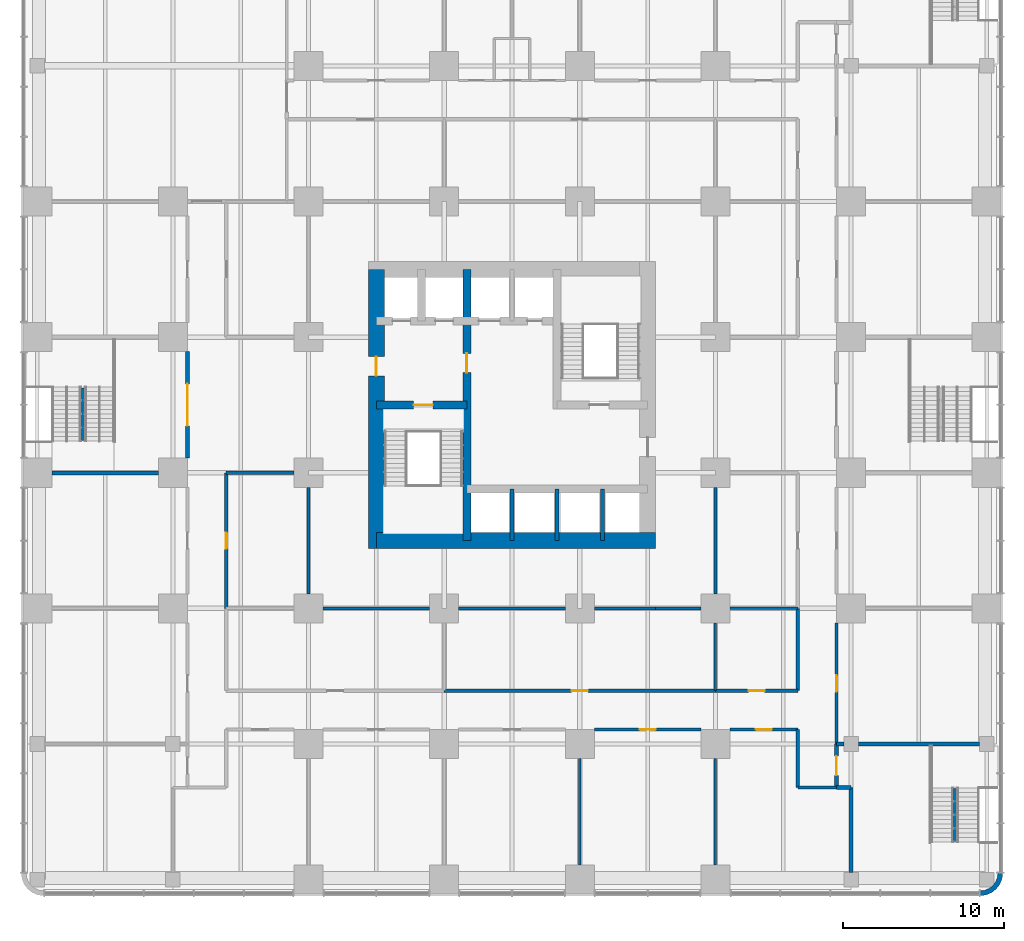
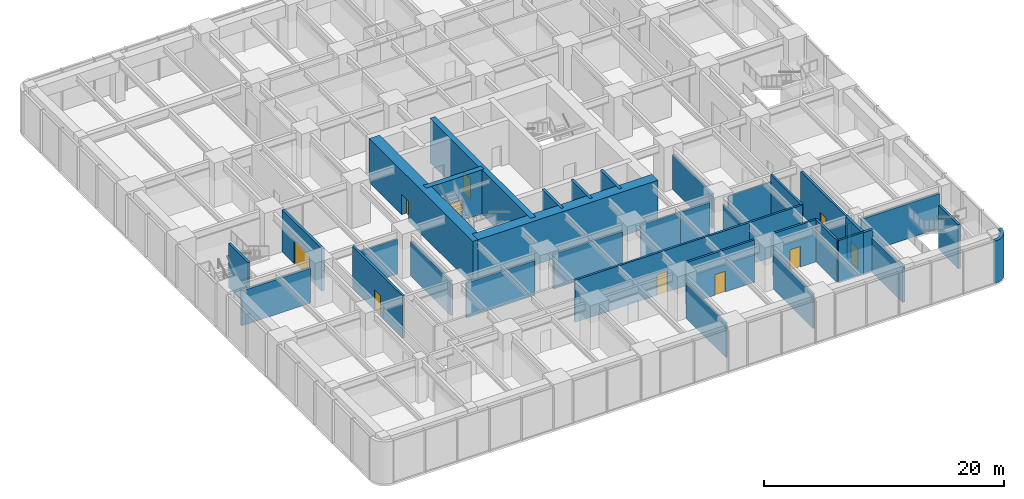
# One storey, part 10 of 17: 37 walls, 11 doors, 11 openings.
"""IFC4 building model written with IfcOpenShell, lengths in metres."""

from ifc_helpers import new_model, si_unit, direction, frame, frame_2d, origin, place, context, subcontext, project, spatial, polyline, rectangle, outline, extrude, material, layer, layer_set, type_object, element, fill, save


model = new_model("IFC4")

# Units and contexts
model_context = context("Model", 3, precision=1e-05, world=origin(), true_north=direction((0.0, 1.0)))
body_context = subcontext(model_context, "Body", "Model", "MODEL_VIEW")
ifc_project = project(units=[si_unit("LENGTHUNIT", "METRE"), si_unit("AREAUNIT", "SQUARE_METRE"), si_unit("VOLUMEUNIT", "CUBIC_METRE"), si_unit("PLANEANGLEUNIT", "RADIAN"), si_unit("MASSUNIT", "GRAM", prefix="KILO")], contexts=[model_context])

# Site, building, storey
site_placement = place(None, origin())
site = spatial("IfcSite", under=ifc_project, at=site_placement, CompositionType="ELEMENT")
building_placement = place(site_placement, origin())
building = spatial("IfcBuilding", under=site, at=building_placement, Name="Torre Alcanfor", CompositionType="ELEMENT")
storey_placement = place(building_placement, frame((0.0, 0.0, 19.5)))
storey = spatial("IfcBuildingStorey", under=building, at=storey_placement, Name="L04", CompositionType="ELEMENT", Elevation=19.5)

# Walls
ifc_material_1 = material(Name="Concrete block masonry, hollow blocks NMX-C-404 9 MPa", Category="masonry")
ifc_layer_1 = layer(ifc_material_1, 0.14990234375)
ifc_layer_set_1 = layer_set([ifc_layer_1], Name="Classroom partition 150")
wall_type_1 = type_object("IfcWallType", Name="Classroom partition 150", PredefinedType="PARTITIONING", material=ifc_layer_set_1)
for number, where, z_axis, x_axis, name in (
    (1, (42.0, 0.89990234375, 0.0), (0.0, 0.0, 1.0), (0.0, 1.0, 0.0), "Partition L04-02 / L04-07"),
    (2, (33.60009765625, 7.5, 0.0), (0.0, 0.0, 1.0), (0.0, -1.0, 0.0), "Partition L04-06 / L04-07"),
):
    element("IfcWall", number, at=place(storey_placement, frame(where, z_axis=z_axis, x_axis=x_axis)), inside=storey, type_object=wall_type_1, Name=name, PredefinedType="PARTITIONING", context=body_context, shape_type="SweptSolid", body=[
        extrude(rectangle(XDim=6.60009765625, YDim=0.14990234375, at=frame_2d((3.300048828125, 0.0))), origin(), (0.0, 0.0, 1.0), 3.543212890625),
    ])
wall_1_placement = place(storey_placement, frame((42.0, 15.89990234375, 0.0), z_axis=(0.0, 0.0, 1.0), x_axis=(0.0, -1.0, 0.0)))
element("IfcWall", 3, at=wall_1_placement, inside=storey, type_object=wall_type_1, Name="Partition L04-I01 / L04-I03", PredefinedType="PARTITIONING", context=body_context, shape_type="SweptSolid", body=[
    extrude(rectangle(XDim=4.199951171875, YDim=0.14990234375, at=frame_2d((2.10009765625, 0.0))), origin(), (0.0, 0.0, 1.0), 3.543212890625),
])
wall_2_placement = place(storey_placement, frame((42.89990234375, 16.800048828125, 0.0), z_axis=(0.0, 0.0, 1.0), x_axis=(1.0, 0.0, 0.0)))
element("IfcWall", 4, at=wall_2_placement, inside=storey, type_object=wall_type_1, Name="Partition L04-I03 / L04-I05", PredefinedType="PARTITIONING", context=body_context, shape_type="SweptSolid", body=[
    extrude(rectangle(XDim=4.2001953125, YDim=0.14990234375, at=frame_2d((2.10009765625, 0.0))), origin(), (0.0, 0.0, 1.0), 3.543212890625),
])

# Wall, opening, door
ifc_material_2 = material(Name="Concrete f'c 70 MPa", Category="concrete")
ifc_layer_2 = layer(ifc_material_2, 0.5)
ifc_layer_set_2 = layer_set([ifc_layer_2], Name="Core inner wall 500 f'c70")
wall_type_2 = type_object("IfcWallType", Name="Core inner wall 500 f'c70", PredefinedType="SHEAR", material=ifc_layer_set_2)
wall_3_placement = place(storey_placement, frame((26.60009765625, 21.0, 0.0), z_axis=(0.0, 0.0, 1.0), x_axis=(0.0, 1.0, 0.0)))
wall_3 = element("IfcWall", 5, at=wall_3_placement, inside=storey, type_object=wall_type_2, Name="Core wall X266 L04", PredefinedType="SHEAR", context=body_context, shape_type="SweptSolid", body=[
    extrude(rectangle(XDim=16.800048828125, YDim=0.5, at=frame_2d((8.39990234375, 0.0))), origin(), (0.0, 0.0, 1.0), 4.5),
])
opening_1_placement = place(wall_3_placement, frame((10.39990234375, 0.0, 0.0)))
opening_1 = element("IfcOpeningElement", 6, at=opening_1_placement, cuts=wall_3, Name="Opening D-L1", PredefinedType="OPENING", context=body_context, shape_type="SweptSolid", body=[
    extrude(rectangle(XDim=1.199951171875, YDim=2.10009765625, at=frame_2d((0.60009765625, 1.050048828125))), frame((0.0, 0.260009765625, 0.0), z_axis=(0.0, -1.0, 0.0), x_axis=(1.0, 0.0, 0.0)), (0.0, 0.0, 1.0), 0.52001953125),
])
ifc_material_3 = material(Name="Galvanised steel sheet ASTM A653", Category="steel")
door_type_1 = type_object("IfcDoorType", Name="Lobby door FD120 1200x2100", OperationType="SINGLE_SWING_LEFT", PredefinedType="DOOR", material=ifc_material_3)
door_1_placement = place(opening_1_placement, origin())
door_1 = element("IfcDoor", 7, at=door_1_placement, inside=storey, type_object=door_type_1, Name="Lift lobby door L04", OperationType="SINGLE_SWING_LEFT", OverallHeight=2.10009765625, OverallWidth=1.199951171875, PredefinedType="DOOR", context=body_context, shape_type="SweptSolid", body=[
    extrude(rectangle(XDim=1.199951171875, YDim=2.10009765625, at=frame_2d((0.60009765625, 1.050048828125))), frame((0.0, 0.02490234375, 0.0), z_axis=(0.0, -1.0, 0.0), x_axis=(1.0, 0.0, 0.0)), (0.0, 0.0, 1.0), 0.050048828125),
])
fill(opening_1, door_1)

wall_4_placement = place(storey_placement, frame((21.0, 29.39990234375, 0.0), z_axis=(0.0, 0.0, 1.0), x_axis=(1.0, 0.0, 0.0)))
wall_4 = element("IfcWall", 8, at=wall_4_placement, inside=storey, type_object=wall_type_2, Name="Core wall Y294W L04", PredefinedType="SHEAR", context=body_context, shape_type="SweptSolid", body=[
    extrude(rectangle(XDim=5.60009765625, YDim=0.5, at=frame_2d((2.800048828125, 0.0))), origin(), (0.0, 0.0, 1.0), 4.5),
])
opening_2_placement = place(wall_4_placement, frame((2.300048828125, 0.0, 0.0)))
opening_2 = element("IfcOpeningElement", 9, at=opening_2_placement, cuts=wall_4, Name="Opening D-S2", PredefinedType="OPENING", context=body_context, shape_type="SweptSolid", body=[
    extrude(rectangle(XDim=1.199951171875, YDim=2.10009765625, at=frame_2d((0.60009765625, 1.050048828125))), frame((0.0, 0.260009765625, 0.0), z_axis=(0.0, -1.0, 0.0), x_axis=(1.0, 0.0, 0.0)), (0.0, 0.0, 1.0), 0.52001953125),
])
ifc_material_4 = material(Name="Galvanised steel sheet ASTM A653", Category="steel")
door_type_2 = type_object("IfcDoorType", Name="Stair enclosure door FD120 1200x2100", OperationType="SINGLE_SWING_LEFT", PredefinedType="DOOR", material=ifc_material_4)
door_2_placement = place(opening_2_placement, frame((1.199951171875, 0.0, 0.0), z_axis=(0.0, 0.0, 1.0), x_axis=(-1.0, 0.0, 0.0)))
door_2 = element("IfcDoor", 10, at=door_2_placement, inside=storey, type_object=door_type_2, Name="Stair S1 door L04", OperationType="SINGLE_SWING_LEFT", OverallHeight=2.10009765625, OverallWidth=1.199951171875, PredefinedType="DOOR", context=body_context, shape_type="SweptSolid", body=[
    extrude(rectangle(XDim=1.199951171875, YDim=2.10009765625, at=frame_2d((0.599853515625, 1.050048828125))), frame((0.0, 0.025146484375, 0.0), z_axis=(0.0, -1.0, 0.0), x_axis=(1.0, 0.0, 0.0)), (0.0, 0.0, 1.0), 0.050048828125),
])
fill(opening_2, door_2)

# Walls
ifc_material_5 = material(Name="Concrete f'c 70 MPa", Category="concrete")
ifc_layer_3 = layer(ifc_material_5, 0.25)
ifc_layer_set_3 = layer_set([ifc_layer_3], Name="Core shaft wall 250 f'c70")
wall_type_3 = type_object("IfcWallType", Name="Core shaft wall 250 f'c70", PredefinedType="SHEAR", material=ifc_layer_set_3)
for number, where, z_axis, x_axis, name in (
    (11, (29.39990234375, 21.0, 0.0), (0.0, 0.0, 1.0), (0.0, 1.0, 0.0), "Core wall X294S L04"),
    (12, (32.199951171875, 21.0, 0.0), (0.0, 0.0, 1.0), (0.0, 1.0, 0.0), "Core wall X322S L04"),
    (13, (35.0, 21.0, 0.0), (0.0, 0.0, 1.0), (0.0, 1.0, 0.0), "Core wall X350S L04"),
):
    element("IfcWall", number, at=place(storey_placement, frame(where, z_axis=z_axis, x_axis=x_axis)), inside=storey, type_object=wall_type_3, Name=name, PredefinedType="SHEAR", context=body_context, shape_type="SweptSolid", body=[
        extrude(rectangle(XDim=3.199951171875, YDim=0.25, at=frame_2d((1.60009765625, 0.0))), origin(), (0.0, 0.0, 1.0), 4.5),
    ])
ifc_material_6 = material(Name="Concrete f'c 70 MPa", Category="concrete")
ifc_layer_4 = layer(ifc_material_6, 1.0)
ifc_layer_set_4 = layer_set([ifc_layer_4], Name="Core wall 1000 f'c70")
wall_type_4 = type_object("IfcWallType", Name="Core wall 1000 f'c70", PredefinedType="SHEAR", material=ifc_layer_set_4)
wall_5_placement = place(storey_placement, frame((21.0, 21.0, 0.0), z_axis=(0.0, 0.0, 1.0), x_axis=(1.0, 0.0, 0.0)))
element("IfcWall", 14, at=wall_5_placement, inside=storey, type_object=wall_type_4, Name="Core wall OUT-S L04", PredefinedType="SHEAR", context=body_context, shape_type="SweptSolid", body=[
    extrude(rectangle(XDim=17.300048828125, YDim=1.0, at=frame_2d((8.64990234375, 0.0))), origin(), (0.0, 0.0, 1.0), 4.5),
])

# Wall, opening, door
wall_6_placement = place(storey_placement, frame((21.0, 37.800048828125, 0.0), z_axis=(0.0, 0.0, 1.0), x_axis=(0.0, -1.0, 0.0)))
wall_6 = element("IfcWall", 15, at=wall_6_placement, inside=storey, type_object=wall_type_4, Name="Core wall OUT-W L04", PredefinedType="SHEAR", context=body_context, shape_type="SweptSolid", body=[
    extrude(rectangle(XDim=17.300048828125, YDim=1.0, at=frame_2d((8.64990234375, 0.0))), origin(), (0.0, 0.0, 1.0), 4.5),
])
opening_3_placement = place(wall_6_placement, frame((5.39990234375, 0.0, 0.0)))
opening_3 = element("IfcOpeningElement", 16, at=opening_3_placement, cuts=wall_6, Name="Opening D-L1", PredefinedType="OPENING", context=body_context, shape_type="SweptSolid", body=[
    extrude(rectangle(XDim=1.199951171875, YDim=2.10009765625, at=frame_2d((0.60009765625, 1.050048828125))), frame((0.0, 0.510009765625, 0.0), z_axis=(0.0, -1.0, 0.0), x_axis=(1.0, 0.0, 0.0)), (0.0, 0.0, 1.0), 1.02001953125),
])
door_3_placement = place(opening_3_placement, origin())
door_3 = element("IfcDoor", 17, at=door_3_placement, inside=storey, type_object=door_type_1, Name="Firefighting lobby door L04", OperationType="SINGLE_SWING_LEFT", OverallHeight=2.10009765625, OverallWidth=1.199951171875, PredefinedType="DOOR", context=body_context, shape_type="SweptSolid", body=[
    extrude(rectangle(XDim=1.199951171875, YDim=2.10009765625, at=frame_2d((0.60009765625, 1.050048828125))), frame((0.0, 0.02490234375, 0.0), z_axis=(0.0, -1.0, 0.0), x_axis=(1.0, 0.0, 0.0)), (0.0, 0.0, 1.0), 0.050048828125),
])
fill(opening_3, door_3)

# Wall
ifc_material_7 = material(Name="Limestone cladding", Category="masonry")
ifc_layer_5 = layer(ifc_material_7, 0.0400390625, Name="Facing")
ifc_material_8 = material(Name="Ventilated air cavity")
ifc_layer_6 = layer(ifc_material_8, 0.02001953125, ventilated=True, Name="Ventilated joint")
ifc_material_9 = material(Name="Mineral wool insulation", Category="insulation")
ifc_layer_7 = layer(ifc_material_9, 0.10009765625, Name="Insulation")
ifc_material_10 = material(Name="Concrete f'c 35 MPa", Category="concrete")
ifc_layer_8 = layer(ifc_material_10, 0.139892578125, Name="Backing")
ifc_layer_set_5 = layer_set([ifc_layer_5, ifc_layer_6, ifc_layer_7, ifc_layer_8], Name="Rounded corner pier stone-clad 300")
wall_type_5 = type_object("IfcWallType", Name="Rounded corner pier stone-clad 300", PredefinedType="SOLIDWALL", material=ifc_layer_set_5)
wall_7_placement = place(storey_placement, frame((58.355188981, -0.847901787, 0.0), z_axis=(0.0, 0.0, 1.0), x_axis=(0.707106781187, -0.707106781187, 0.0)))
element("IfcWall", 18, at=wall_7_placement, inside=storey, type_object=wall_type_5, Name="Corner pier L04 8", PredefinedType="SOLIDWALL", context=body_context, shape_type="SweptSolid", body=[
    extrude(outline(polyline([(0.13933943332033705, 1.904000958212158), (-0.10079375335702812, 1.7198010227809943), (-0.08681044054547771, 1.705817709969444), (0.09963373027519407, 1.4627497539365684), (0.20925599737808903, 1.1981026114661149), (0.24654483154222334, 0.9139478844560909), (0.20925599737808903, 0.6301384244290684), (0.09963373027519407, 0.365491281958615), (-0.08681044054547765, 0.12242332592573929), (-0.10079375335702803, 0.10844001311418891), (0.1391667998288365, -0.07593255580847535), (0.3616913703731382, 0.21391907642106894), (0.5016971319801427, 0.5517628192877861), (0.5491713421428137, 0.9141205179475915), (0.501524498488642, 1.2763055831158965), (0.36169137037313825, 1.613976692491113), (0.13933943332033705, 1.904000958212158)])), origin(), (0.0, 0.0, 1.0), 4.300048828125),
])

# Wall, opening, door
ifc_material_11 = material(Name="Concrete block masonry, hollow blocks NMX-C-404 9 MPa", Category="masonry")
ifc_layer_9 = layer(ifc_material_11, 0.199951171875)
ifc_layer_set_6 = layer_set([ifc_layer_9], Name="School corridor wall 200")
wall_type_6 = type_object("IfcWallType", Name="School corridor wall 200", PredefinedType="PARTITIONING", material=ifc_layer_set_6)
wall_8_placement = place(storey_placement, frame((42.89990234375, 9.300048828125, 0.0), z_axis=(0.0, 0.0, 1.0), x_axis=(1.0, 0.0, 0.0)))
wall_8 = element("IfcWall", 19, at=wall_8_placement, inside=storey, type_object=wall_type_6, Name="Partition L04-02 / L04-CORR", PredefinedType="PARTITIONING", context=body_context, shape_type="SweptSolid", body=[
    extrude(rectangle(XDim=4.2001953125, YDim=0.199951171875, at=frame_2d((2.10009765625, 0.0))), origin(), (0.0, 0.0, 1.0), 4.300048828125),
])
opening_4_placement = place(wall_8_placement, frame((1.60009765625, 0.0, 0.0)))
opening_4 = element("IfcOpeningElement", 20, at=opening_4_placement, cuts=wall_8, Name="Opening D-C1", PredefinedType="OPENING", context=body_context, shape_type="SweptSolid", body=[
    extrude(rectangle(XDim=1.0, YDim=2.10009765625, at=frame_2d((0.5, 1.050048828125))), frame((0.0, 0.10986328125, 0.0), z_axis=(0.0, -1.0, 0.0), x_axis=(1.0, 0.0, 0.0)), (0.0, 0.0, 1.0), 0.219970703125),
])
ifc_material_12 = material(Name="Timber", Category="wood")
door_type_3 = type_object("IfcDoorType", Name="Classroom door 1000x2100", OperationType="SINGLE_SWING_RIGHT", PredefinedType="DOOR", material=ifc_material_12)
door_4_placement = place(opening_4_placement, frame((1.0, 0.0, 0.0), z_axis=(0.0, 0.0, 1.0), x_axis=(-1.0, 0.0, 0.0)))
door_4 = element("IfcDoor", 21, at=door_4_placement, inside=storey, type_object=door_type_3, Name="Door L04-02 classroom", OperationType="SINGLE_SWING_RIGHT", OverallHeight=2.10009765625, OverallWidth=1.0, PredefinedType="DOOR", context=body_context, shape_type="SweptSolid", body=[
    extrude(rectangle(XDim=1.0, YDim=2.10009765625, at=frame_2d((0.5, 1.050048828125))), frame((0.0, 0.025146484375, 0.0), z_axis=(0.0, -1.0, 0.0), x_axis=(1.0, 0.0, 0.0)), (0.0, 0.0, 1.0), 0.050048828125),
])
fill(opening_4, door_4)

# Walls
wall_9_placement = place(storey_placement, frame((47.10009765625, 9.300048828125, 0.0), z_axis=(0.0, 0.0, 1.0), x_axis=(0.0, -1.0, 0.0)))
element("IfcWall", 22, at=wall_9_placement, inside=storey, type_object=wall_type_6, Name="Partition L04-02 / L04-CORR", PredefinedType="PARTITIONING", context=body_context, shape_type="SweptSolid", body=[
    extrude(rectangle(XDim=3.60009765625, YDim=0.199951171875, at=frame_2d((1.800048828125, 0.0))), origin(), (0.0, 0.0, 1.0), 4.300048828125),
])
wall_10_placement = place(storey_placement, frame((47.10009765625, 5.699951171875, 0.0), z_axis=(0.0, 0.0, 1.0), x_axis=(1.0, 0.0, 0.0)))
element("IfcWall", 23, at=wall_10_placement, inside=storey, type_object=wall_type_6, Name="Partition L04-02 / L04-CORR", PredefinedType="PARTITIONING", context=body_context, shape_type="SweptSolid", body=[
    extrude(rectangle(XDim=2.39990234375, YDim=0.199951171875, at=frame_2d((1.199951171875, 0.0))), origin(), (0.0, 0.0, 1.0), 4.300048828125),
])

# Wall, opening, door
wall_11_placement = place(storey_placement, frame((34.5, 9.300048828125, 0.0), z_axis=(0.0, 0.0, 1.0), x_axis=(1.0, 0.0, 0.0)))
wall_11 = element("IfcWall", 24, at=wall_11_placement, inside=storey, type_object=wall_type_6, Name="Partition L04-07 / L04-CORR", PredefinedType="PARTITIONING", context=body_context, shape_type="SweptSolid", body=[
    extrude(rectangle(XDim=6.60009765625, YDim=0.199951171875, at=frame_2d((3.300048828125, 0.0))), origin(), (0.0, 0.0, 1.0), 4.300048828125),
])
opening_5_placement = place(wall_11_placement, frame((2.800048828125, 0.0, 0.0)))
opening_5 = element("IfcOpeningElement", 25, at=opening_5_placement, cuts=wall_11, Name="Opening D-C1", PredefinedType="OPENING", context=body_context, shape_type="SweptSolid", body=[
    extrude(rectangle(XDim=1.0, YDim=2.10009765625, at=frame_2d((0.5, 1.050048828125))), frame((0.0, 0.10986328125, 0.0), z_axis=(0.0, -1.0, 0.0), x_axis=(1.0, 0.0, 0.0)), (0.0, 0.0, 1.0), 0.219970703125),
])
door_5_placement = place(opening_5_placement, frame((1.0, 0.0, 0.0), z_axis=(0.0, 0.0, 1.0), x_axis=(-1.0, 0.0, 0.0)))
door_5 = element("IfcDoor", 26, at=door_5_placement, inside=storey, type_object=door_type_3, Name="Door L04-07 classroom", OperationType="SINGLE_SWING_RIGHT", OverallHeight=2.10009765625, OverallWidth=1.0, PredefinedType="DOOR", context=body_context, shape_type="SweptSolid", body=[
    extrude(rectangle(XDim=1.0, YDim=2.10009765625, at=frame_2d((0.5, 1.050048828125))), frame((0.0, 0.025146484375, 0.0), z_axis=(0.0, -1.0, 0.0), x_axis=(1.0, 0.0, 0.0)), (0.0, 0.0, 1.0), 0.050048828125),
])
fill(opening_5, door_5)

wall_12_placement = place(storey_placement, frame((49.5, 8.39990234375, 0.0), z_axis=(0.0, 0.0, 1.0), x_axis=(0.0, 1.0, 0.0)))
wall_12 = element("IfcWall", 27, at=wall_12_placement, inside=storey, type_object=wall_type_6, Name="Partition L04-09 / L04-CORR", PredefinedType="PARTITIONING", context=body_context, shape_type="SweptSolid", body=[
    extrude(rectangle(XDim=7.5, YDim=0.199951171875, at=frame_2d((3.75, 0.0))), origin(), (0.0, 0.0, 1.0), 4.300048828125),
])
opening_6_placement = place(wall_12_placement, frame((3.25, 0.0, 0.0)))
opening_6 = element("IfcOpeningElement", 28, at=opening_6_placement, cuts=wall_12, Name="Opening D-C1", PredefinedType="OPENING", context=body_context, shape_type="SweptSolid", body=[
    extrude(rectangle(XDim=1.0, YDim=2.10009765625, at=frame_2d((0.5, 1.050048828125))), frame((0.0, 0.10986328125, 0.0), z_axis=(0.0, -1.0, 0.0), x_axis=(1.0, 0.0, 0.0)), (0.0, 0.0, 1.0), 0.219970703125),
])
door_6_placement = place(opening_6_placement, frame((1.0, 0.0, 0.0), z_axis=(0.0, 0.0, 1.0), x_axis=(-1.0, 0.0, 0.0)))
door_6 = element("IfcDoor", 29, at=door_6_placement, inside=storey, type_object=door_type_3, Name="Door L04-09 classroom", OperationType="SINGLE_SWING_RIGHT", OverallHeight=2.10009765625, OverallWidth=1.0, PredefinedType="DOOR", context=body_context, shape_type="SweptSolid", body=[
    extrude(rectangle(XDim=1.0, YDim=2.10009765625, at=frame_2d((0.5, 1.050048828125))), frame((0.0, 0.025146484375, 0.0), z_axis=(0.0, -1.0, 0.0), x_axis=(1.0, 0.0, 0.0)), (0.0, 0.0, 1.0), 0.050048828125),
])
fill(opening_6, door_6)

wall_13_placement = place(storey_placement, frame((25.199951171875, 11.699951171875, 0.0), z_axis=(0.0, 0.0, 1.0), x_axis=(1.0, 0.0, 0.0)))
wall_13 = element("IfcWall", 30, at=wall_13_placement, inside=storey, type_object=wall_type_6, Name="Partition L04-CORR / L04-I01", PredefinedType="PARTITIONING", context=body_context, shape_type="SweptSolid", body=[
    extrude(rectangle(XDim=16.800048828125, YDim=0.199951171875, at=frame_2d((8.39990234375, 0.0))), origin(), (0.0, 0.0, 1.0), 4.300048828125),
])
opening_7_placement = place(wall_13_placement, frame((7.89990234375, 0.0, 0.0)))
opening_7 = element("IfcOpeningElement", 31, at=opening_7_placement, cuts=wall_13, Name="Opening D-C1", PredefinedType="OPENING", context=body_context, shape_type="SweptSolid", body=[
    extrude(rectangle(XDim=1.0, YDim=2.10009765625, at=frame_2d((0.5, 1.050048828125))), frame((0.0, 0.10986328125, 0.0), z_axis=(0.0, -1.0, 0.0), x_axis=(1.0, 0.0, 0.0)), (0.0, 0.0, 1.0), 0.219970703125),
])
door_7_placement = place(opening_7_placement, origin())
door_7 = element("IfcDoor", 32, at=door_7_placement, inside=storey, type_object=door_type_3, Name="Door L04-I01 science laboratory", OperationType="SINGLE_SWING_LEFT", OverallHeight=2.10009765625, OverallWidth=1.0, PredefinedType="DOOR", context=body_context, shape_type="SweptSolid", body=[
    extrude(rectangle(XDim=1.0, YDim=2.10009765625, at=frame_2d((0.5, 1.050048828125))), frame((0.0, 0.02490234375, 0.0), z_axis=(0.0, -1.0, 0.0), x_axis=(1.0, 0.0, 0.0)), (0.0, 0.0, 1.0), 0.050048828125),
])
fill(opening_7, door_7)

wall_14_placement = place(storey_placement, frame((42.0, 11.699951171875, 0.0), z_axis=(0.0, 0.0, 1.0), x_axis=(1.0, 0.0, 0.0)))
wall_14 = element("IfcWall", 33, at=wall_14_placement, inside=storey, type_object=wall_type_6, Name="Partition L04-CORR / L04-I03", PredefinedType="PARTITIONING", context=body_context, shape_type="SweptSolid", body=[
    extrude(rectangle(XDim=5.10009765625, YDim=0.199951171875, at=frame_2d((2.550048828125, 0.0))), origin(), (0.0, 0.0, 1.0), 4.300048828125),
])
opening_8_placement = place(wall_14_placement, frame((2.050048828125, 0.0, 0.0)))
opening_8 = element("IfcOpeningElement", 34, at=opening_8_placement, cuts=wall_14, Name="Opening D-C1", PredefinedType="OPENING", context=body_context, shape_type="SweptSolid", body=[
    extrude(rectangle(XDim=1.0, YDim=2.10009765625, at=frame_2d((0.5, 1.050048828125))), frame((0.0, 0.10986328125, 0.0), z_axis=(0.0, -1.0, 0.0), x_axis=(1.0, 0.0, 0.0)), (0.0, 0.0, 1.0), 0.219970703125),
])
door_8_placement = place(opening_8_placement, origin())
door_8 = element("IfcDoor", 35, at=door_8_placement, inside=storey, type_object=door_type_3, Name="Door L04-I03 store", OperationType="SINGLE_SWING_LEFT", OverallHeight=2.10009765625, OverallWidth=1.0, PredefinedType="DOOR", context=body_context, shape_type="SweptSolid", body=[
    extrude(rectangle(XDim=1.0, YDim=2.10009765625, at=frame_2d((0.5, 1.050048828125))), frame((0.0, 0.02490234375, 0.0), z_axis=(0.0, -1.0, 0.0), x_axis=(1.0, 0.0, 0.0)), (0.0, 0.0, 1.0), 0.050048828125),
])
fill(opening_8, door_8)

# Wall
wall_15_placement = place(storey_placement, frame((47.10009765625, 11.699951171875, 0.0), z_axis=(0.0, 0.0, 1.0), x_axis=(0.0, 1.0, 0.0)))
element("IfcWall", 36, at=wall_15_placement, inside=storey, type_object=wall_type_6, Name="Partition L04-CORR / L04-I03", PredefinedType="PARTITIONING", context=body_context, shape_type="SweptSolid", body=[
    extrude(rectangle(XDim=5.10009765625, YDim=0.199951171875, at=frame_2d((2.550048828125, 0.0))), origin(), (0.0, 0.0, 1.0), 4.300048828125),
])

# Wall, opening, door
wall_16_placement = place(storey_placement, frame((11.699951171875, 25.199951171875, 0.0), z_axis=(0.0, 0.0, 1.0), x_axis=(0.0, -1.0, 0.0)))
wall_16 = element("IfcWall", 37, at=wall_16_placement, inside=storey, type_object=wall_type_6, Name="Partition L04-CORR / L04-I04", PredefinedType="PARTITIONING", context=body_context, shape_type="SweptSolid", body=[
    extrude(rectangle(XDim=8.39990234375, YDim=0.199951171875, at=frame_2d((4.199951171875, 0.0))), origin(), (0.0, 0.0, 1.0), 4.300048828125),
])
opening_9_placement = place(wall_16_placement, frame((3.699951171875, 0.0, 0.0)))
opening_9 = element("IfcOpeningElement", 38, at=opening_9_placement, cuts=wall_16, Name="Opening D-C1", PredefinedType="OPENING", context=body_context, shape_type="SweptSolid", body=[
    extrude(rectangle(XDim=1.0, YDim=2.10009765625, at=frame_2d((0.5, 1.050048828125))), frame((0.0, 0.10986328125, 0.0), z_axis=(0.0, -1.0, 0.0), x_axis=(1.0, 0.0, 0.0)), (0.0, 0.0, 1.0), 0.219970703125),
])
door_9_placement = place(opening_9_placement, origin())
door_9 = element("IfcDoor", 39, at=door_9_placement, inside=storey, type_object=door_type_3, Name="Door L04-I04 preparation room", OperationType="SINGLE_SWING_LEFT", OverallHeight=2.10009765625, OverallWidth=1.0, PredefinedType="DOOR", context=body_context, shape_type="SweptSolid", body=[
    extrude(rectangle(XDim=1.0, YDim=2.10009765625, at=frame_2d((0.5, 1.050048828125))), frame((0.0, 0.02490234375, 0.0), z_axis=(0.0, -1.0, 0.0), x_axis=(1.0, 0.0, 0.0)), (0.0, 0.0, 1.0), 0.050048828125),
])
fill(opening_9, door_9)

# Walls
wall_17_placement = place(storey_placement, frame((32.699951171875, 16.800048828125, 0.0), z_axis=(0.0, 0.0, 1.0), x_axis=(-1.0, 0.0, 0.0)))
element("IfcWall", 40, at=wall_17_placement, inside=storey, type_object=wall_type_6, Name="Partition L04-LLW / L04-I01", PredefinedType="PARTITIONING", context=body_context, shape_type="SweptSolid", body=[
    extrude(rectangle(XDim=6.599853515625, YDim=0.199951171875, at=frame_2d((3.2998046875, 0.0))), origin(), (0.0, 0.0, 1.0), 3.543212890625),
])
wall_18_placement = place(storey_placement, frame((38.300048828125, 16.800048828125, 0.0), z_axis=(0.0, 0.0, 1.0), x_axis=(-1.0, 0.0, 0.0)))
element("IfcWall", 41, at=wall_18_placement, inside=storey, type_object=wall_type_6, Name="Partition L04-LLW / L04-I01", PredefinedType="PARTITIONING", context=body_context, shape_type="SweptSolid", body=[
    extrude(rectangle(XDim=3.800048828125, YDim=0.199951171875, at=frame_2d((1.89990234375, 0.0))), origin(), (0.0, 0.0, 1.0), 3.543212890625),
])
wall_19_placement = place(storey_placement, frame((24.300048828125, 16.800048828125, 0.0), z_axis=(0.0, 0.0, 1.0), x_axis=(-1.0, 0.0, 0.0)))
element("IfcWall", 42, at=wall_19_placement, inside=storey, type_object=wall_type_6, Name="Partition L04-LLW / L04-I02", PredefinedType="PARTITIONING", context=body_context, shape_type="SweptSolid", body=[
    extrude(rectangle(XDim=6.60009765625, YDim=0.199951171875, at=frame_2d((3.300048828125, 0.0))), origin(), (0.0, 0.0, 1.0), 3.543212890625),
])
wall_20_placement = place(storey_placement, frame((15.89990234375, 25.199951171875, 0.0), z_axis=(0.0, 0.0, 1.0), x_axis=(-1.0, 0.0, 0.0)))
element("IfcWall", 43, at=wall_20_placement, inside=storey, type_object=wall_type_6, Name="Partition L04-LLW / L04-I04", PredefinedType="PARTITIONING", context=body_context, shape_type="SweptSolid", body=[
    extrude(rectangle(XDim=4.199951171875, YDim=0.199951171875, at=frame_2d((2.10009765625, 0.0))), origin(), (0.0, 0.0, 1.0), 3.543212890625),
])
wall_21_placement = place(storey_placement, frame((16.800048828125, 17.699951171875, 0.0), z_axis=(0.0, 0.0, 1.0), x_axis=(0.0, 1.0, 0.0)))
element("IfcWall", 44, at=wall_21_placement, inside=storey, type_object=wall_type_6, Name="Partition L04-LLW / L04-I04", PredefinedType="PARTITIONING", context=body_context, shape_type="SweptSolid", body=[
    extrude(rectangle(XDim=6.60009765625, YDim=0.199951171875, at=frame_2d((3.300048828125, 0.0))), origin(), (0.0, 0.0, 1.0), 3.543212890625),
])
wall_22_placement = place(storey_placement, frame((41.10009765625, 16.800048828125, 0.0), z_axis=(0.0, 0.0, 1.0), x_axis=(-1.0, 0.0, 0.0)))
element("IfcWall", 45, at=wall_22_placement, inside=storey, type_object=wall_type_6, Name="Partition L04-LLE / L04-I01", PredefinedType="PARTITIONING", context=body_context, shape_type="SweptSolid", body=[
    extrude(rectangle(XDim=2.800048828125, YDim=0.199951171875, at=frame_2d((1.39990234375, 0.0))), origin(), (0.0, 0.0, 1.0), 3.543212890625),
])
wall_23_placement = place(storey_placement, frame((42.0, 24.300048828125, 0.0), z_axis=(0.0, 0.0, 1.0), x_axis=(0.0, -1.0, 0.0)))
element("IfcWall", 46, at=wall_23_placement, inside=storey, type_object=wall_type_6, Name="Partition L04-LLE / L04-I05", PredefinedType="PARTITIONING", context=body_context, shape_type="SweptSolid", body=[
    extrude(rectangle(XDim=6.60009765625, YDim=0.199951171875, at=frame_2d((3.300048828125, 0.0))), origin(), (0.0, 0.0, 1.0), 3.543212890625),
])
ifc_material_13 = material(Name="Reinforced concrete block masonry, hollow blocks NMX-C-404 9 MPa", Category="masonry")
ifc_layer_10 = layer(ifc_material_13, 0.25)
ifc_layer_set_7 = layer_set([ifc_layer_10], Name="Stair enclosure wall 250 EI 120")
wall_type_7 = type_object("IfcWallType", Name="Stair enclosure wall 250 EI 120", PredefinedType="SOLIDWALL", material=ifc_layer_set_7)
wall_24_placement = place(storey_placement, frame((7.5, 25.199951171875, 0.0), z_axis=(0.0, 0.0, 1.0), x_axis=(-1.0, 0.0, 0.0)))
element("IfcWall", 47, at=wall_24_placement, inside=storey, type_object=wall_type_7, Name="Partition L04-SS1 / L04-10", PredefinedType="SOLIDWALL", context=body_context, shape_type="SweptSolid", body=[
    extrude(rectangle(XDim=6.60009765625, YDim=0.25, at=frame_2d((3.300048828125, 0.0))), origin(), (0.0, 0.0, 1.0), 3.543212890625),
])

# Wall, opening, door
wall_25_placement = place(storey_placement, frame((9.300048828125, 32.699951171875, 0.0), z_axis=(0.0, 0.0, 1.0), x_axis=(0.0, -1.0, 0.0)))
wall_25 = element("IfcWall", 48, at=wall_25_placement, inside=storey, type_object=wall_type_7, Name="Partition L04-SS1 / L04-CORR", PredefinedType="SOLIDWALL", context=body_context, shape_type="SweptSolid", body=[
    extrude(rectangle(XDim=6.599853515625, YDim=0.25, at=frame_2d((3.2998046875, 0.0))), origin(), (0.0, 0.0, 1.0), 4.300048828125),
])
opening_10_placement = place(wall_25_placement, frame((2.0, 0.0, 0.0)))
opening_10 = element("IfcOpeningElement", 49, at=opening_10_placement, cuts=wall_25, Name="Opening D-S4", PredefinedType="OPENING", context=body_context, shape_type="SweptSolid", body=[
    extrude(rectangle(XDim=2.60009765625, YDim=2.39990234375, at=frame_2d((1.300048828125, 1.199951171875))), frame((0.0, 0.135009765625, 0.0), z_axis=(0.0, -1.0, 0.0), x_axis=(1.0, 0.0, 0.0)), (0.0, 0.0, 1.0), 0.27001953125),
])
ifc_material_14 = material(Name="Galvanised steel sheet ASTM A653", Category="steel")
door_type_4 = type_object("IfcDoorType", Name="School stair double door FD120 2600x2400", OperationType="DOUBLE_DOOR_SINGLE_SWING", PredefinedType="DOOR", material=ifc_material_14)
door_10_placement = place(opening_10_placement, frame((2.60009765625, 0.0, 0.0), z_axis=(0.0, 0.0, 1.0), x_axis=(-1.0, 0.0, 0.0)))
door_10 = element("IfcDoor", 50, at=door_10_placement, inside=storey, type_object=door_type_4, Name="Door L04-SS1 school stair ss1", OperationType="DOUBLE_DOOR_SINGLE_SWING", OverallHeight=2.39990234375, OverallWidth=2.60009765625, PredefinedType="DOOR", context=body_context, shape_type="SweptSolid", body=[
    extrude(rectangle(XDim=2.60009765625, YDim=2.39990234375, at=frame_2d((1.300048828125, 1.199951171875))), frame((0.0, 0.025146484375, 0.0), z_axis=(0.0, -1.0, 0.0), x_axis=(1.0, 0.0, 0.0)), (0.0, 0.0, 1.0), 0.050048828125),
])
fill(opening_10, door_10)

# Walls
wall_26_placement = place(storey_placement, frame((50.39990234375, 0.449951171875, 0.0), z_axis=(0.0, 0.0, 1.0), x_axis=(0.0, 1.0, 0.0)))
element("IfcWall", 51, at=wall_26_placement, inside=storey, type_object=wall_type_7, Name="Partition L04-SS3 / L04-02", PredefinedType="SOLIDWALL", context=body_context, shape_type="SweptSolid", body=[
    extrude(rectangle(XDim=5.25, YDim=0.25, at=frame_2d((2.625, 0.0))), origin(), (0.0, 0.0, 1.0), 3.543212890625),
])
wall_27_placement = place(storey_placement, frame((50.39990234375, 5.699951171875, 0.0), z_axis=(0.0, 0.0, 1.0), x_axis=(-1.0, 0.0, 0.0)))
element("IfcWall", 52, at=wall_27_placement, inside=storey, type_object=wall_type_7, Name="Partition L04-SS3 / L04-02", PredefinedType="SOLIDWALL", context=body_context, shape_type="SweptSolid", body=[
    extrude(rectangle(XDim=0.89990234375, YDim=0.25, at=frame_2d((0.449951171875, 0.0))), origin(), (0.0, 0.0, 1.0), 4.300048828125),
])
wall_28_placement = place(storey_placement, frame((49.5, 8.39990234375, 0.0), z_axis=(0.0, 0.0, 1.0), x_axis=(1.0, 0.0, 0.0)))
element("IfcWall", 53, at=wall_28_placement, inside=storey, type_object=wall_type_7, Name="Partition L04-SS3 / L04-09", PredefinedType="SOLIDWALL", context=body_context, shape_type="SweptSolid", body=[
    extrude(rectangle(XDim=0.449951171875, YDim=0.25, at=frame_2d((0.22509765625, 0.0))), origin(), (0.0, 0.0, 1.0), 3.543212890625),
])
wall_29_placement = place(storey_placement, frame((50.85009765625, 8.39990234375, 0.0), z_axis=(0.0, 0.0, 1.0), x_axis=(1.0, 0.0, 0.0)))
element("IfcWall", 54, at=wall_29_placement, inside=storey, type_object=wall_type_7, Name="Partition L04-SS3 / L04-09", PredefinedType="SOLIDWALL", context=body_context, shape_type="SweptSolid", body=[
    extrude(rectangle(XDim=7.5, YDim=0.25, at=frame_2d((3.75, 0.0))), origin(), (0.0, 0.0, 1.0), 3.543212890625),
])

# Wall, opening, door
wall_30_placement = place(storey_placement, frame((49.5, 5.699951171875, 0.0), z_axis=(0.0, 0.0, 1.0), x_axis=(0.0, 1.0, 0.0)))
wall_30 = element("IfcWall", 55, at=wall_30_placement, inside=storey, type_object=wall_type_7, Name="Partition L04-SS3 / L04-CORR", PredefinedType="SOLIDWALL", context=body_context, shape_type="SweptSolid", body=[
    extrude(rectangle(XDim=2.699951171875, YDim=0.25, at=frame_2d((1.35009765625, 0.0))), origin(), (0.0, 0.0, 1.0), 4.300048828125),
])
opening_11_placement = place(wall_30_placement, frame((0.75, 0.0, 0.0)))
opening_11 = element("IfcOpeningElement", 56, at=opening_11_placement, cuts=wall_30, Name="Opening D-L1", PredefinedType="OPENING", context=body_context, shape_type="SweptSolid", body=[
    extrude(rectangle(XDim=1.199951171875, YDim=2.10009765625, at=frame_2d((0.60009765625, 1.050048828125))), frame((0.0, 0.135009765625, 0.0), z_axis=(0.0, -1.0, 0.0), x_axis=(1.0, 0.0, 0.0)), (0.0, 0.0, 1.0), 0.27001953125),
])
door_11_placement = place(opening_11_placement, frame((1.199951171875, 0.0, 0.0), z_axis=(0.0, 0.0, 1.0), x_axis=(-1.0, 0.0, 0.0)))
door_11 = element("IfcDoor", 57, at=door_11_placement, inside=storey, type_object=door_type_1, Name="Door L04-SS3 school stair ss3", OperationType="SINGLE_SWING_LEFT", OverallHeight=2.10009765625, OverallWidth=1.199951171875, PredefinedType="DOOR", context=body_context, shape_type="SweptSolid", body=[
    extrude(rectangle(XDim=1.199951171875, YDim=2.10009765625, at=frame_2d((0.599853515625, 1.050048828125))), frame((0.0, 0.025146484375, 0.0), z_axis=(0.0, -1.0, 0.0), x_axis=(1.0, 0.0, 0.0)), (0.0, 0.0, 1.0), 0.050048828125),
])
fill(opening_11, door_11)

# Walls
ifc_material_15 = material(Name="Concrete f'c 35 MPa", Category="concrete")
ifc_layer_11 = layer(ifc_material_15, 0.199951171875)
ifc_layer_set_8 = layer_set([ifc_layer_11], Name="Stair spine wall 200")
wall_type_8 = type_object("IfcWallType", Name="Stair spine wall 200", PredefinedType="SOLIDWALL", material=ifc_layer_set_8)
for number, where, z_axis, x_axis, name in (
    (58, (2.830078125, 27.205078125, 0.0), (0.0, 0.0, 1.0), (0.0, 1.0, 0.0), "Stair spine wall SS1 L04"),
    (59, (56.85009765625, 2.375, 0.0), (0.0, 0.0, 1.0), (0.0, 1.0, 0.0), "Stair spine wall SS3 L04"),
):
    element("IfcWall", number, at=place(storey_placement, frame(where, z_axis=z_axis, x_axis=x_axis)), inside=storey, type_object=wall_type_8, Name=name, PredefinedType="SOLIDWALL", context=body_context, shape_type="SweptSolid", body=[
        extrude(rectangle(XDim=3.260009765625, YDim=0.199951171875, at=frame_2d((1.6298828125, 0.0))), origin(), (0.0, 0.0, 1.0), 4.5),
    ])

save(model, "model.ifc")
